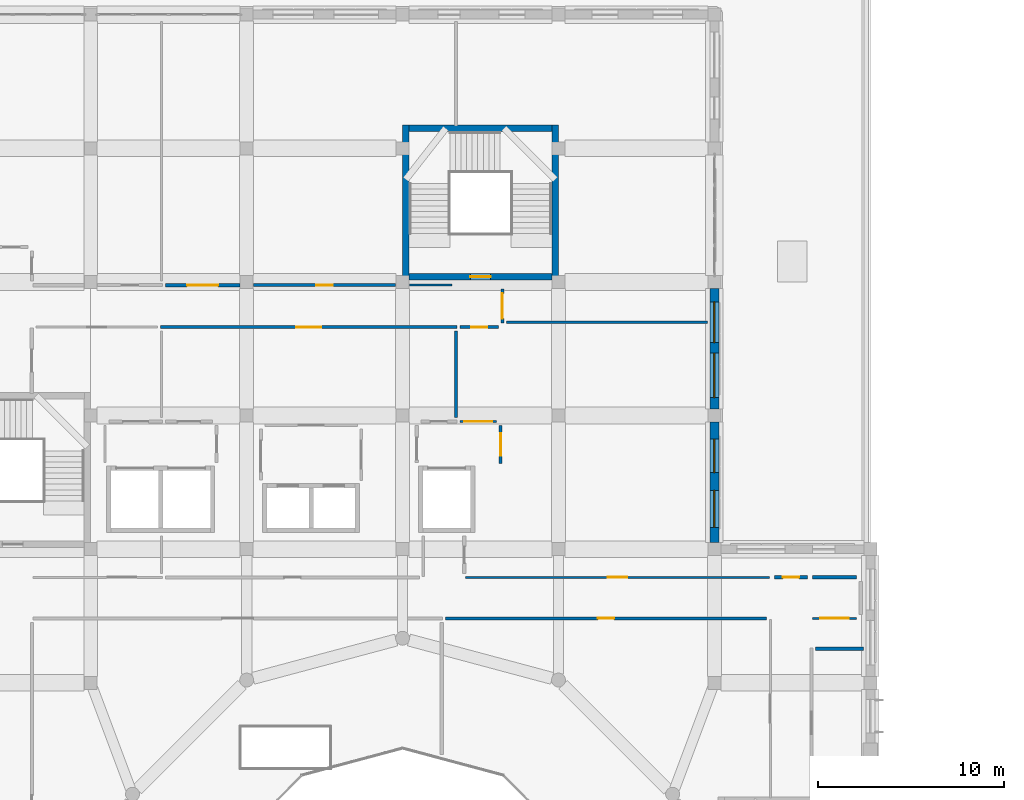
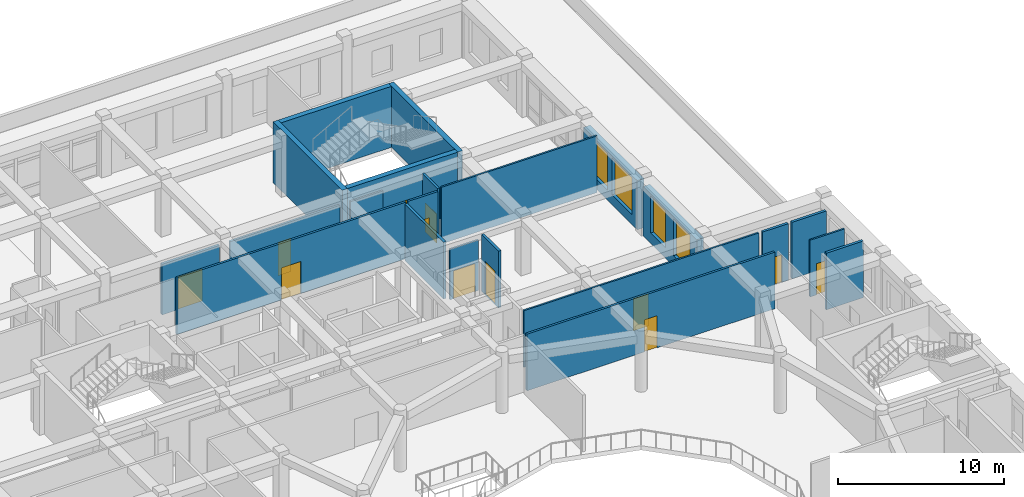
# One storey, part 64 of 100: 22 walls, 12 doors, 4 windows, 16 openings.
"""IFC4 building model written with IfcOpenShell, lengths in metres."""

from ifc_helpers import new_model, si_unit, derived_unit, direction, frame, frame_2d, origin, place, context, subcontext, project, spatial, rectangle, extrude, material, layer, layer_set, type_object, element, fill, save


model = new_model("IFC4")

# Units and contexts
model_context = context("Model", 3, precision=1e-05, world=origin(), true_north=direction((0.0, 1.0)))
body_context = subcontext(model_context, "Body", "Model", "MODEL_VIEW")
ifc_project = project(units=[si_unit("LENGTHUNIT", "METRE"), si_unit("AREAUNIT", "SQUARE_METRE"), si_unit("VOLUMEUNIT", "CUBIC_METRE"), si_unit("PLANEANGLEUNIT", "RADIAN"), si_unit("MASSUNIT", "GRAM", prefix="KILO"), derived_unit("THERMALTRANSMITTANCEUNIT", [(si_unit("POWERUNIT", "WATT"), 1), (si_unit("LENGTHUNIT", "METRE"), -2), (si_unit("THERMODYNAMICTEMPERATUREUNIT", "KELVIN"), -1)])], contexts=[model_context])

# Site, building, storey
site_placement = place(None, origin())
site = spatial("IfcSite", under=ifc_project, at=site_placement, CompositionType="ELEMENT")
building_placement = place(site_placement, origin())
building = spatial("IfcBuilding", under=site, at=building_placement, Name="Veybourne Emporium", CompositionType="ELEMENT")
storey_placement = place(building_placement, frame((0.0, 0.0, 14.39990234375)))
storey = spatial("IfcBuildingStorey", under=building, at=storey_placement, Name="L03", CompositionType="ELEMENT", Elevation=14.39990234375)

# Wall, openings, windows
ifc_material_1 = material(Name="Portland Limestone Ashlar", Category="masonry")
ifc_layer_1 = layer(ifc_material_1, 0.47998046875)
ifc_layer_set_1 = layer_set([ifc_layer_1], Name="Portland Limestone Ashlar")
wall_type_1 = type_object("IfcWallType", Name="ExtWall_EW-01", PredefinedType="SOLIDWALL", material=ifc_layer_set_1)
wall_1_placement = place(storey_placement, frame((92.39990234375, 78.85009765625, 0.0), z_axis=(0.0, 0.0, 1.0), x_axis=(0.0, -1.0, 0.0)))
wall_1 = element("IfcWall", 1, at=wall_1_placement, inside=storey, type_object=wall_type_1, Name="L03 Portland stone external wall 043", PredefinedType="SOLIDWALL", context=body_context, shape_type="SweptSolid", body=[
    extrude(rectangle(XDim=6.5, YDim=0.47998046875, at=frame_2d((3.25, 0.0))), origin(), (0.0, 0.0, 1.0), 3.630126953125),
])
opening_1_placement = place(wall_1_placement, frame((0.919921875, 0.0, 0.75)))
opening_1 = element("IfcOpeningElement", 2, at=opening_1_placement, cuts=wall_1, Name="Opening W-52", PredefinedType="OPENING", context=body_context, shape_type="SweptSolid", body=[
    extrude(rectangle(XDim=1.800048828125, YDim=2.72998046875, at=frame_2d((0.89990234375, 1.364990234375))), frame((0.0, 0.260009765625, 0.0), z_axis=(0.0, -1.0, 0.0), x_axis=(1.0, 0.0, 0.0)), (0.0, 0.0, 1.0), 0.52001953125),
])
opening_2_placement = place(wall_1_placement, frame((3.679931640625, 0.0, 0.75)))
opening_2 = element("IfcOpeningElement", 3, at=opening_2_placement, cuts=wall_1, Name="Opening W-53", PredefinedType="OPENING", context=body_context, shape_type="SweptSolid", body=[
    extrude(rectangle(XDim=2.0, YDim=2.72998046875, at=frame_2d((1.0, 1.364990234375))), frame((0.0, 0.260009765625, 0.0), z_axis=(0.0, -1.0, 0.0), x_axis=(1.0, 0.0, 0.0)), (0.0, 0.0, 1.0), 0.52001953125),
])
ifc_material_2 = material(Name="Low-E Triple Glazing", Category="glass")
window_type_1 = type_object("IfcWindowType", Name="Win_W-52", PartitioningType="DOUBLE_PANEL_VERTICAL", PredefinedType="WINDOW", material=ifc_material_2)
window_1_placement = place(opening_1_placement, origin())
window_1 = element("IfcWindow", 4, at=window_1_placement, inside=storey, type_object=window_type_1, Name="L03 tripartite bronze casement window W-52 (43.1)", OverallHeight=2.72998046875, OverallWidth=1.800048828125, PartitioningType="DOUBLE_PANEL_VERTICAL", PredefinedType="WINDOW", context=body_context, shape_type="SweptSolid", body=[
    extrude(rectangle(XDim=1.800048828125, YDim=2.72998046875, at=frame_2d((0.89990234375, 1.364990234375))), frame((0.0, 0.030029296875, 0.0), z_axis=(0.0, -1.0, 0.0), x_axis=(1.0, 0.0, 0.0)), (0.0, 0.0, 1.0), 0.06005859375),
])
fill(opening_1, window_1)
window_type_2 = type_object("IfcWindowType", Name="Win_W-53", PartitioningType="TRIPLE_PANEL_VERTICAL", PredefinedType="WINDOW", material=ifc_material_2)
window_2_placement = place(opening_2_placement, origin())
window_2 = element("IfcWindow", 5, at=window_2_placement, inside=storey, type_object=window_type_2, Name="L03 tripartite bronze casement window W-53 (43.2)", OverallHeight=2.72998046875, OverallWidth=2.0, PartitioningType="TRIPLE_PANEL_VERTICAL", PredefinedType="WINDOW", context=body_context, shape_type="SweptSolid", body=[
    extrude(rectangle(XDim=2.0, YDim=2.72998046875, at=frame_2d((1.0, 1.364990234375))), frame((0.0, 0.030029296875, 0.0), z_axis=(0.0, -1.0, 0.0), x_axis=(1.0, 0.0, 0.0)), (0.0, 0.0, 1.0), 0.06005859375),
])
fill(opening_2, window_2)

wall_2_placement = place(storey_placement, frame((92.39990234375, 86.050048828125, 0.0), z_axis=(0.0, 0.0, 1.0), x_axis=(0.0, -1.0, 0.0)))
wall_2 = element("IfcWall", 6, at=wall_2_placement, inside=storey, type_object=wall_type_1, Name="L03 Portland stone external wall 044", PredefinedType="SOLIDWALL", context=body_context, shape_type="SweptSolid", body=[
    extrude(rectangle(XDim=6.5, YDim=0.47998046875, at=frame_2d((3.25, 0.0))), origin(), (0.0, 0.0, 1.0), 3.630126953125),
])
opening_3_placement = place(wall_2_placement, frame((0.719970703125, 0.0, 0.75)))
opening_3 = element("IfcOpeningElement", 7, at=opening_3_placement, cuts=wall_2, Name="Opening W-54", PredefinedType="OPENING", context=body_context, shape_type="SweptSolid", body=[
    extrude(rectangle(XDim=2.199951171875, YDim=2.72998046875, at=frame_2d((1.10009765625, 1.364990234375))), frame((0.0, 0.260009765625, 0.0), z_axis=(0.0, -1.0, 0.0), x_axis=(1.0, 0.0, 0.0)), (0.0, 0.0, 1.0), 0.52001953125),
])
opening_4_placement = place(wall_2_placement, frame((3.47998046875, 0.0, 0.75)))
opening_4 = element("IfcOpeningElement", 8, at=opening_4_placement, cuts=wall_2, Name="Opening W-55", PredefinedType="OPENING", context=body_context, shape_type="SweptSolid", body=[
    extrude(rectangle(XDim=2.39990234375, YDim=2.72998046875, at=frame_2d((1.199951171875, 1.364990234375))), frame((0.0, 0.260009765625, 0.0), z_axis=(0.0, -1.0, 0.0), x_axis=(1.0, 0.0, 0.0)), (0.0, 0.0, 1.0), 0.52001953125),
])
window_type_3 = type_object("IfcWindowType", Name="Win_W-54", PartitioningType="TRIPLE_PANEL_VERTICAL", PredefinedType="WINDOW", material=ifc_material_2)
window_3_placement = place(opening_3_placement, origin())
window_3 = element("IfcWindow", 9, at=window_3_placement, inside=storey, type_object=window_type_3, Name="L03 tripartite bronze casement window W-54 (44.1)", OverallHeight=2.72998046875, OverallWidth=2.199951171875, PartitioningType="TRIPLE_PANEL_VERTICAL", PredefinedType="WINDOW", context=body_context, shape_type="SweptSolid", body=[
    extrude(rectangle(XDim=2.199951171875, YDim=2.72998046875, at=frame_2d((1.10009765625, 1.364990234375))), frame((0.0, 0.030029296875, 0.0), z_axis=(0.0, -1.0, 0.0), x_axis=(1.0, 0.0, 0.0)), (0.0, 0.0, 1.0), 0.06005859375),
])
fill(opening_3, window_3)
window_type_4 = type_object("IfcWindowType", Name="Win_W-55", PartitioningType="TRIPLE_PANEL_VERTICAL", PredefinedType="WINDOW", material=ifc_material_2)
window_4_placement = place(opening_4_placement, origin())
window_4 = element("IfcWindow", 10, at=window_4_placement, inside=storey, type_object=window_type_4, Name="L03 tripartite bronze casement window W-55 (44.2)", OverallHeight=2.72998046875, OverallWidth=2.39990234375, PartitioningType="TRIPLE_PANEL_VERTICAL", PredefinedType="WINDOW", context=body_context, shape_type="SweptSolid", body=[
    extrude(rectangle(XDim=2.39990234375, YDim=2.72998046875, at=frame_2d((1.199951171875, 1.364990234375))), frame((0.0, 0.030029296875, 0.0), z_axis=(0.0, -1.0, 0.0), x_axis=(1.0, 0.0, 0.0)), (0.0, 0.0, 1.0), 0.06005859375),
])
fill(opening_4, window_4)

# Wall, opening, door
ifc_material_3 = material(Name="Concrete C40/50", Category="concrete")
ifc_layer_2 = layer(ifc_material_3, 0.35009765625)
ifc_layer_set_2 = layer_set([ifc_layer_2], Name="Concrete C40/50")
wall_type_2 = type_object("IfcWallType", Name="IntWall_CW-02", PredefinedType="SHEAR", material=ifc_layer_set_2)
wall_3_placement = place(storey_placement, frame((83.64990234375, 86.675048828125, 0.0), z_axis=(0.0, 0.0, 1.0), x_axis=(-1.0, 0.0, 0.0)))
wall_3 = element("IfcWall", 11, at=wall_3_placement, inside=storey, type_object=wall_type_2, Name="Core stair ST-04 south shear wall (L03)", PredefinedType="SHEAR", context=body_context, shape_type="SweptSolid", body=[
    extrude(rectangle(XDim=7.699951171875, YDim=0.35009765625, at=frame_2d((3.85009765625, 0.0))), origin(), (0.0, 0.0, 1.0), 4.5),
])
opening_5_placement = place(wall_3_placement, frame((3.300048828125, 0.0, 0.0)))
opening_5 = element("IfcOpeningElement", 12, at=opening_5_placement, cuts=wall_3, Name="Opening FD-01", PredefinedType="OPENING", context=body_context, shape_type="SweptSolid", body=[
    extrude(rectangle(XDim=1.10009765625, YDim=2.199951171875, at=frame_2d((0.550048828125, 1.10009765625))), frame((0.0, 0.195068359375, 0.0), z_axis=(0.0, -1.0, 0.0), x_axis=(1.0, 0.0, 0.0)), (0.0, 0.0, 1.0), 0.39013671875),
])
ifc_material_4 = material(Name="Patinated Architectural Bronze", Category="bronze")
door_type_1 = type_object("IfcDoorType", Name="FireDoor_FD-01", OperationType="NOTDEFINED", PredefinedType="DOOR", material=ifc_material_4)
door_1_placement = place(opening_5_placement, origin())
door_1 = element("IfcDoor", 13, at=door_1_placement, inside=storey, type_object=door_type_1, Name="Stair ST-04 fire door (L03)", OperationType="SINGLE_SWING_LEFT", OverallHeight=2.199951171875, OverallWidth=1.10009765625, PredefinedType="DOOR", context=body_context, shape_type="SweptSolid", body=[
    extrude(rectangle(XDim=1.10009765625, YDim=2.199951171875, at=frame_2d((0.550048828125, 1.10009765625))), frame((0.0, 0.02490234375, 0.0), z_axis=(0.0, -1.0, 0.0), x_axis=(1.0, 0.0, 0.0)), (0.0, 0.0, 1.0), 0.050048828125),
])
fill(opening_5, door_1)

# Walls
wall_4_placement = place(storey_placement, frame((75.949951171875, 94.675048828125, 0.0), z_axis=(0.0, 0.0, 1.0), x_axis=(1.0, 0.0, 0.0)))
element("IfcWall", 14, at=wall_4_placement, inside=storey, type_object=wall_type_2, Name="Core stair ST-04 north shear wall (L03)", PredefinedType="SHEAR", context=body_context, shape_type="SweptSolid", body=[
    extrude(rectangle(XDim=7.699951171875, YDim=0.35009765625, at=frame_2d((3.85009765625, 0.0))), origin(), (0.0, 0.0, 1.0), 4.5),
])
for number, where, z_axis, x_axis, name in (
    (15, (75.77490234375, 94.85009765625, 0.0), (0.0, 0.0, 1.0), (0.0, -1.0, 0.0), "Core stair ST-04 west shear wall (L03)"),
    (16, (83.824951171875, 86.5, 0.0), (0.0, 0.0, 1.0), (0.0, 1.0, 0.0), "Core stair ST-04 east shear wall (L03)"),
):
    element("IfcWall", number, at=place(storey_placement, frame(where, z_axis=z_axis, x_axis=x_axis)), inside=storey, type_object=wall_type_2, Name=name, PredefinedType="SHEAR", context=body_context, shape_type="SweptSolid", body=[
        extrude(rectangle(XDim=8.35009765625, YDim=0.35009765625, at=frame_2d((4.175048828125, 0.0))), origin(), (0.0, 0.0, 1.0), 4.5),
    ])

# Wall, opening, door
ifc_material_5 = material(Name="Gypsum Acoustic Board", Category="gypsum")
ifc_layer_3 = layer(ifc_material_5, 0.179931640625)
ifc_layer_set_3 = layer_set([ifc_layer_3], Name="Gypsum Acoustic Board")
wall_type_3 = type_object("IfcWallType", Name="IntWall_IW-01", PredefinedType="PARTITIONING", material=ifc_layer_set_3)
wall_5_placement = place(storey_placement, frame((62.822021484375, 86.22998046875, 0.0), z_axis=(0.0, 0.0, 1.0), x_axis=(1.0, 0.0, 0.0)))
wall_5 = element("IfcWall", 17, at=wall_5_placement, inside=storey, type_object=wall_type_3, Name="L03 interior partition IW-01 #020", PredefinedType="PARTITIONING", context=body_context, shape_type="SweptSolid", body=[
    extrude(rectangle(XDim=4.008056640625, YDim=0.179931640625, at=frame_2d((2.00390625, 0.0))), origin(), (0.0, 0.0, 1.0), 3.72998046875),
])
opening_6_placement = place(wall_5_placement, frame((1.1640625, 0.0, 0.0)))
opening_6 = element("IfcOpeningElement", 18, at=opening_6_placement, cuts=wall_5, Name="Opening D-30", PredefinedType="OPENING", context=body_context, shape_type="SweptSolid", body=[
    extrude(rectangle(XDim=1.679931640625, YDim=2.3701171875, at=frame_2d((0.83984375, 1.18505859375))), frame((0.0, 0.10986328125, 0.0), z_axis=(0.0, -1.0, 0.0), x_axis=(1.0, 0.0, 0.0)), (0.0, 0.0, 1.0), 0.219970703125),
])
ifc_material_6 = material(Name="European Oak Veneer and Bronze", Category="wood")
door_type_2 = type_object("IfcDoorType", Name="IntDoor_D-30", OperationType="DOUBLE_DOOR_SINGLE_SWING", PredefinedType="DOOR", material=ifc_material_6)
door_2_placement = place(opening_6_placement, origin())
door_2 = element("IfcDoor", 19, at=door_2_placement, inside=storey, type_object=door_type_2, Name="L03 interior door D-30 (PART-L03-020)", OperationType="DOUBLE_DOOR_SINGLE_SWING", OverallHeight=2.3701171875, OverallWidth=1.679931640625, PredefinedType="DOOR", context=body_context, shape_type="SweptSolid", body=[
    extrude(rectangle(XDim=1.679931640625, YDim=2.3701171875, at=frame_2d((0.83984375, 1.18505859375))), frame((0.0, 0.02490234375, 0.0), z_axis=(0.0, -1.0, 0.0), x_axis=(1.0, 0.0, 0.0)), (0.0, 0.0, 1.0), 0.050048828125),
])
fill(opening_6, door_2)

# Wall
wall_6_placement = place(storey_placement, frame((97.679931640625, 70.47998046875, 0.0), z_axis=(0.0, 0.0, 1.0), x_axis=(1.0, 0.0, 0.0)))
element("IfcWall", 20, at=wall_6_placement, inside=storey, type_object=wall_type_3, Name="L03 interior partition IW-01 #086", PredefinedType="PARTITIONING", context=body_context, shape_type="SweptSolid", body=[
    extrude(rectangle(XDim=2.39013671875, YDim=0.179931640625, at=frame_2d((1.195068359375, 0.0))), origin(), (0.0, 0.0, 1.0), 4.18017578125),
])

# Wall, opening, door
wall_7_placement = place(storey_placement, frame((80.8798828125, 76.6201171875, 0.0), z_axis=(0.0, 0.0, 1.0), x_axis=(0.0, 1.0, 0.0)))
wall_7 = element("IfcWall", 21, at=wall_7_placement, inside=storey, type_object=wall_type_3, Name="L03 interior partition IW-01 #095", PredefinedType="PARTITIONING", context=body_context, shape_type="SweptSolid", body=[
    extrude(rectangle(XDim=2.0498046875, YDim=0.179931640625, at=frame_2d((1.02490234375, 0.0))), origin(), (0.0, 0.0, 1.0), 4.18017578125),
])
opening_7_placement = place(wall_7_placement, frame((0.425048828125, 0.0, 0.0)))
opening_7 = element("IfcOpeningElement", 22, at=opening_7_placement, cuts=wall_7, Name="Opening D-33", PredefinedType="OPENING", context=body_context, shape_type="SweptSolid", body=[
    extrude(rectangle(XDim=1.199951171875, YDim=2.449951171875, at=frame_2d((0.60009765625, 1.22509765625))), frame((0.0, 0.10986328125, 0.0), z_axis=(0.0, -1.0, 0.0), x_axis=(1.0, 0.0, 0.0)), (0.0, 0.0, 1.0), 0.219970703125),
])
door_type_3 = type_object("IfcDoorType", Name="IntDoor_D-33", OperationType="NOTDEFINED", PredefinedType="DOOR", material=ifc_material_6)
door_3_placement = place(opening_7_placement, origin())
door_3 = element("IfcDoor", 23, at=door_3_placement, inside=storey, type_object=door_type_3, Name="L03 interior door D-33 (PART-L03-095)", OperationType="SINGLE_SWING_LEFT", OverallHeight=2.449951171875, OverallWidth=1.199951171875, PredefinedType="DOOR", context=body_context, shape_type="SweptSolid", body=[
    extrude(rectangle(XDim=1.199951171875, YDim=2.449951171875, at=frame_2d((0.60009765625, 1.22509765625))), frame((0.0, 0.02490234375, 0.0), z_axis=(0.0, -1.0, 0.0), x_axis=(1.0, 0.0, 0.0)), (0.0, 0.0, 1.0), 0.050048828125),
])
fill(opening_7, door_3)

wall_8_placement = place(storey_placement, frame((95.6298828125, 70.47998046875, 0.0), z_axis=(0.0, 0.0, 1.0), x_axis=(1.0, 0.0, 0.0)))
wall_8 = element("IfcWall", 24, at=wall_8_placement, inside=storey, type_object=wall_type_3, Name="L03 interior partition IW-01 #116", PredefinedType="PARTITIONING", context=body_context, shape_type="SweptSolid", body=[
    extrude(rectangle(XDim=1.7900390625, YDim=0.179931640625, at=frame_2d((0.89501953125, 0.0))), origin(), (0.0, 0.0, 1.0), 4.18017578125),
])
opening_8_placement = place(wall_8_placement, frame((0.455078125, 0.0, 0.0)))
opening_8 = element("IfcOpeningElement", 25, at=opening_8_placement, cuts=wall_8, Name="Opening D-01", PredefinedType="OPENING", context=body_context, shape_type="SweptSolid", body=[
    extrude(rectangle(XDim=0.8798828125, YDim=2.050048828125, at=frame_2d((0.43994140625, 1.02490234375))), frame((0.0, 0.10986328125, 0.0), z_axis=(0.0, -1.0, 0.0), x_axis=(1.0, 0.0, 0.0)), (0.0, 0.0, 1.0), 0.219970703125),
])
door_type_4 = type_object("IfcDoorType", Name="IntDoor_D-01", OperationType="NOTDEFINED", PredefinedType="DOOR", material=ifc_material_6)
door_4_placement = place(opening_8_placement, origin())
door_4 = element("IfcDoor", 26, at=door_4_placement, inside=storey, type_object=door_type_4, Name="L03 interior door D-01 (PART-L03-116)", OperationType="SINGLE_SWING_LEFT", OverallHeight=2.050048828125, OverallWidth=0.8798828125, PredefinedType="DOOR", context=body_context, shape_type="SweptSolid", body=[
    extrude(rectangle(XDim=0.8798828125, YDim=2.050048828125, at=frame_2d((0.43994140625, 1.02490234375))), frame((0.0, 0.02490234375, 0.0), z_axis=(0.0, -1.0, 0.0), x_axis=(1.0, 0.0, 0.0)), (0.0, 0.0, 1.0), 0.050048828125),
])
fill(opening_8, door_4)

# Walls
wall_9_placement = place(storey_placement, frame((78.47607421875, 79.090087890625, 0.0), z_axis=(0.0, 0.0, 1.0), x_axis=(0.0, 1.0, 0.0)))
element("IfcWall", 27, at=wall_9_placement, inside=storey, type_object=wall_type_3, Name="L03 interior partition IW-01 #140", PredefinedType="PARTITIONING", context=body_context, shape_type="SweptSolid", body=[
    extrude(rectangle(XDim=4.669921875, YDim=0.179931640625, at=frame_2d((2.3349609375, 0.0))), origin(), (0.0, 0.0, 1.0), 4.18017578125),
])
wall_10_placement = place(storey_placement, frame((97.840087890625, 66.6298828125, 0.0), z_axis=(0.0, 0.0, 1.0), x_axis=(1.0, 0.0, 0.0)))
element("IfcWall", 28, at=wall_10_placement, inside=storey, type_object=wall_type_3, Name="L03 interior partition IW-01 #143", PredefinedType="PARTITIONING", context=body_context, shape_type="SweptSolid", body=[
    extrude(rectangle(XDim=2.58984375, YDim=0.179931640625, at=frame_2d((1.294921875, 0.0))), origin(), (0.0, 0.0, 1.0), 4.18017578125),
])

# Wall, opening, door
ifc_layer_4 = layer(ifc_material_5, 0.14990234375)
ifc_layer_set_4 = layer_set([ifc_layer_4], Name="Gypsum Acoustic Board")
wall_type_4 = type_object("IfcWallType", Name="IntWall_IW-02", PredefinedType="PARTITIONING", material=ifc_layer_set_4)
wall_11_placement = place(storey_placement, frame((77.9150390625, 68.27001953125, 0.0), z_axis=(0.0, 0.0, 1.0), x_axis=(1.0, 0.0, 0.0)))
wall_11 = element("IfcWall", 29, at=wall_11_placement, inside=storey, type_object=wall_type_4, Name="L03 interior partition IW-02 #015", PredefinedType="PARTITIONING", context=body_context, shape_type="SweptSolid", body=[
    extrude(rectangle(XDim=17.294921875, YDim=0.14990234375, at=frame_2d((8.6474609375, 0.0))), origin(), (0.0, 0.0, 1.0), 4.18017578125),
])
opening_9_placement = place(wall_11_placement, frame((8.20751953125, 0.0, 0.0)))
opening_9 = element("IfcOpeningElement", 30, at=opening_9_placement, cuts=wall_11, Name="Opening D-25", PredefinedType="OPENING", context=body_context, shape_type="SweptSolid", body=[
    extrude(rectangle(XDim=0.8798828125, YDim=2.3701171875, at=frame_2d((0.43994140625, 1.18505859375))), frame((0.0, 0.094970703125, 0.0), z_axis=(0.0, -1.0, 0.0), x_axis=(1.0, 0.0, 0.0)), (0.0, 0.0, 1.0), 0.18994140625),
])
door_type_5 = type_object("IfcDoorType", Name="IntDoor_D-25", OperationType="NOTDEFINED", PredefinedType="DOOR", material=ifc_material_6)
door_5_placement = place(opening_9_placement, origin())
door_5 = element("IfcDoor", 31, at=door_5_placement, inside=storey, type_object=door_type_5, Name="L03 interior door D-25 (PART-L03-015)", OperationType="SINGLE_SWING_LEFT", OverallHeight=2.3701171875, OverallWidth=0.8798828125, PredefinedType="DOOR", context=body_context, shape_type="SweptSolid", body=[
    extrude(rectangle(XDim=0.8798828125, YDim=2.3701171875, at=frame_2d((0.43994140625, 1.18505859375))), frame((0.0, 0.02490234375, 0.0), z_axis=(0.0, -1.0, 0.0), x_axis=(1.0, 0.0, 0.0)), (0.0, 0.0, 1.0), 0.050048828125),
])
fill(opening_9, door_5)

wall_12_placement = place(storey_placement, frame((62.56201171875, 83.969970703125, 0.0), z_axis=(0.0, 0.0, 1.0), x_axis=(1.0, 0.0, 0.0)))
wall_12 = element("IfcWall", 32, at=wall_12_placement, inside=storey, type_object=wall_type_4, Name="L03 interior partition IW-02 #018", PredefinedType="PARTITIONING", context=body_context, shape_type="SweptSolid", body=[
    extrude(rectangle(XDim=15.9638671875, YDim=0.14990234375, at=frame_2d((7.98193359375, 0.0))), origin(), (0.0, 0.0, 1.0), 4.18017578125),
])
opening_10_placement = place(wall_12_placement, frame((7.302001953125, 0.0, 0.0)))
opening_10 = element("IfcOpeningElement", 33, at=opening_10_placement, cuts=wall_12, Name="Opening D-28", PredefinedType="OPENING", context=body_context, shape_type="SweptSolid", body=[
    extrude(rectangle(XDim=1.360107421875, YDim=2.3701171875, at=frame_2d((0.68017578125, 1.18505859375))), frame((0.0, 0.094970703125, 0.0), z_axis=(0.0, -1.0, 0.0), x_axis=(1.0, 0.0, 0.0)), (0.0, 0.0, 1.0), 0.18994140625),
])
door_type_6 = type_object("IfcDoorType", Name="IntDoor_D-28", OperationType="NOTDEFINED", PredefinedType="DOOR", material=ifc_material_6)
door_6_placement = place(opening_10_placement, origin())
door_6 = element("IfcDoor", 34, at=door_6_placement, inside=storey, type_object=door_type_6, Name="L03 interior door D-28 (PART-L03-018)", OperationType="SINGLE_SWING_RIGHT", OverallHeight=2.3701171875, OverallWidth=1.360107421875, PredefinedType="DOOR", context=body_context, shape_type="SweptSolid", body=[
    extrude(rectangle(XDim=1.360107421875, YDim=2.3701171875, at=frame_2d((0.68017578125, 1.18505859375))), frame((0.0, 0.02490234375, 0.0), z_axis=(0.0, -1.0, 0.0), x_axis=(1.0, 0.0, 0.0)), (0.0, 0.0, 1.0), 0.050048828125),
])
fill(opening_10, door_6)

wall_13_placement = place(storey_placement, frame((67.570068359375, 86.22998046875, 0.0), z_axis=(0.0, 0.0, 1.0), x_axis=(1.0, 0.0, 0.0)))
wall_13 = element("IfcWall", 35, at=wall_13_placement, inside=storey, type_object=wall_type_4, Name="L03 interior partition IW-02 #021", PredefinedType="PARTITIONING", context=body_context, shape_type="SweptSolid", body=[
    extrude(rectangle(XDim=7.659912109375, YDim=0.14990234375, at=frame_2d((3.830078125, 0.0))), origin(), (0.0, 0.0, 1.0), 3.72998046875),
])
opening_11_placement = place(wall_13_placement, frame((3.389892578125, 0.0, 0.0)))
opening_11 = element("IfcOpeningElement", 36, at=opening_11_placement, cuts=wall_13, Name="Opening D-31", PredefinedType="OPENING", context=body_context, shape_type="SweptSolid", body=[
    extrude(rectangle(XDim=0.8798828125, YDim=2.449951171875, at=frame_2d((0.43994140625, 1.22509765625))), frame((0.0, 0.094970703125, 0.0), z_axis=(0.0, -1.0, 0.0), x_axis=(1.0, 0.0, 0.0)), (0.0, 0.0, 1.0), 0.18994140625),
])
door_type_7 = type_object("IfcDoorType", Name="IntDoor_D-31", OperationType="NOTDEFINED", PredefinedType="DOOR", material=ifc_material_6)
door_7_placement = place(opening_11_placement, origin())
door_7 = element("IfcDoor", 37, at=door_7_placement, inside=storey, type_object=door_type_7, Name="L03 interior door D-31 (PART-L03-021)", OperationType="SINGLE_SWING_LEFT", OverallHeight=2.449951171875, OverallWidth=0.8798828125, PredefinedType="DOOR", context=body_context, shape_type="SweptSolid", body=[
    extrude(rectangle(XDim=0.8798828125, YDim=2.449951171875, at=frame_2d((0.43994140625, 1.22509765625))), frame((0.0, 0.02490234375, 0.0), z_axis=(0.0, -1.0, 0.0), x_axis=(1.0, 0.0, 0.0)), (0.0, 0.0, 1.0), 0.050048828125),
])
fill(opening_11, door_7)

wall_14_placement = place(storey_placement, frame((78.68603515625, 83.969970703125, 0.0), z_axis=(0.0, 0.0, 1.0), x_axis=(1.0, 0.0, 0.0)))
wall_14 = element("IfcWall", 38, at=wall_14_placement, inside=storey, type_object=wall_type_4, Name="L03 interior partition IW-02 #093", PredefinedType="PARTITIONING", context=body_context, shape_type="SweptSolid", body=[
    extrude(rectangle(XDim=2.083984375, YDim=0.14990234375, at=frame_2d((1.0419921875, 0.0))), origin(), (0.0, 0.0, 1.0), 4.18017578125),
])
opening_12_placement = place(wall_14_placement, frame((0.60205078125, 0.0, 0.0)))
opening_12 = element("IfcOpeningElement", 39, at=opening_12_placement, cuts=wall_14, Name="Opening D-31", PredefinedType="OPENING", context=body_context, shape_type="SweptSolid", body=[
    extrude(rectangle(XDim=0.8798828125, YDim=2.449951171875, at=frame_2d((0.43994140625, 1.22509765625))), frame((0.0, 0.094970703125, 0.0), z_axis=(0.0, -1.0, 0.0), x_axis=(1.0, 0.0, 0.0)), (0.0, 0.0, 1.0), 0.18994140625),
])
door_8_placement = place(opening_12_placement, origin())
door_8 = element("IfcDoor", 40, at=door_8_placement, inside=storey, type_object=door_type_7, Name="L03 interior door D-31 (PART-L03-093)", OperationType="SINGLE_SWING_RIGHT", OverallHeight=2.449951171875, OverallWidth=0.8798828125, PredefinedType="DOOR", context=body_context, shape_type="SweptSolid", body=[
    extrude(rectangle(XDim=0.8798828125, YDim=2.449951171875, at=frame_2d((0.43994140625, 1.22509765625))), frame((0.0, 0.02490234375, 0.0), z_axis=(0.0, -1.0, 0.0), x_axis=(1.0, 0.0, 0.0)), (0.0, 0.0, 1.0), 0.050048828125),
])
fill(opening_12, door_8)

wall_15_placement = place(storey_placement, frame((80.97998046875, 84.179931640625, 0.0), z_axis=(0.0, 0.0, 1.0), x_axis=(0.0, 1.0, 0.0)))
wall_15 = element("IfcWall", 41, at=wall_15_placement, inside=storey, type_object=wall_type_4, Name="L03 interior partition IW-02 #108", PredefinedType="PARTITIONING", context=body_context, shape_type="SweptSolid", body=[
    extrude(rectangle(XDim=1.840087890625, YDim=0.14990234375, at=frame_2d((0.919921875, 0.0))), origin(), (0.0, 0.0, 1.0), 4.18017578125),
])
opening_13_placement = place(wall_15_placement, frame((0.239990234375, 0.0, 0.0)))
opening_13 = element("IfcOpeningElement", 42, at=opening_13_placement, cuts=wall_15, Name="Opening D-10", PredefinedType="OPENING", context=body_context, shape_type="SweptSolid", body=[
    extrude(rectangle(XDim=1.360107421875, YDim=2.1298828125, at=frame_2d((0.68017578125, 1.06494140625))), frame((0.0, 0.094970703125, 0.0), z_axis=(0.0, -1.0, 0.0), x_axis=(1.0, 0.0, 0.0)), (0.0, 0.0, 1.0), 0.18994140625),
])
door_type_8 = type_object("IfcDoorType", Name="IntDoor_D-10", OperationType="NOTDEFINED", PredefinedType="DOOR", material=ifc_material_6)
door_9_placement = place(opening_13_placement, origin())
door_9 = element("IfcDoor", 43, at=door_9_placement, inside=storey, type_object=door_type_8, Name="L03 interior door D-10 (PART-L03-108)", OperationType="SINGLE_SWING_LEFT", OverallHeight=2.1298828125, OverallWidth=1.360107421875, PredefinedType="DOOR", context=body_context, shape_type="SweptSolid", body=[
    extrude(rectangle(XDim=1.360107421875, YDim=2.1298828125, at=frame_2d((0.68017578125, 1.06494140625))), frame((0.0, 0.02490234375, 0.0), z_axis=(0.0, -1.0, 0.0), x_axis=(1.0, 0.0, 0.0)), (0.0, 0.0, 1.0), 0.050048828125),
])
fill(opening_13, door_9)

ifc_layer_5 = layer(ifc_material_5, 0.1201171875)
ifc_layer_set_5 = layer_set([ifc_layer_5], Name="Gypsum Acoustic Board")
wall_type_5 = type_object("IfcWallType", Name="IntWall_IW-03", PredefinedType="PARTITIONING", material=ifc_layer_set_5)
wall_16_placement = place(storey_placement, frame((78.97998046875, 70.47998046875, 0.0), z_axis=(0.0, 0.0, 1.0), x_axis=(1.0, 0.0, 0.0)))
wall_16 = element("IfcWall", 44, at=wall_16_placement, inside=storey, type_object=wall_type_5, Name="L03 interior partition IW-03 #016", PredefinedType="PARTITIONING", context=body_context, shape_type="SweptSolid", body=[
    extrude(rectangle(XDim=16.39013671875, YDim=0.1201171875, at=frame_2d((8.195068359375, 0.0))), origin(), (0.0, 0.0, 1.0), 4.18017578125),
])
opening_14_placement = place(wall_16_placement, frame((7.675048828125, 0.0, 0.0)))
opening_14 = element("IfcOpeningElement", 45, at=opening_14_placement, cuts=wall_16, Name="Opening D-26", PredefinedType="OPENING", context=body_context, shape_type="SweptSolid", body=[
    extrude(rectangle(XDim=1.0400390625, YDim=2.3701171875, at=frame_2d((0.52001953125, 1.18505859375))), frame((0.0, 0.080078125, 0.0), z_axis=(0.0, -1.0, 0.0), x_axis=(1.0, 0.0, 0.0)), (0.0, 0.0, 1.0), 0.16015625),
])
door_type_9 = type_object("IfcDoorType", Name="IntDoor_D-26", OperationType="NOTDEFINED", PredefinedType="DOOR", material=ifc_material_6)
door_10_placement = place(opening_14_placement, origin())
door_10 = element("IfcDoor", 46, at=door_10_placement, inside=storey, type_object=door_type_9, Name="L03 interior door D-26 (PART-L03-016)", OperationType="SINGLE_SWING_RIGHT", OverallHeight=2.3701171875, OverallWidth=1.0400390625, PredefinedType="DOOR", context=body_context, shape_type="SweptSolid", body=[
    extrude(rectangle(XDim=1.0400390625, YDim=2.3701171875, at=frame_2d((0.52001953125, 1.18505859375))), frame((0.0, 0.02490234375, 0.0), z_axis=(0.0, -1.0, 0.0), x_axis=(1.0, 0.0, 0.0)), (0.0, 0.0, 1.0), 0.050048828125),
])
fill(opening_14, door_10)

# Wall
wall_17_placement = place(storey_placement, frame((75.969970703125, 86.22998046875, 0.0), z_axis=(0.0, 0.0, 1.0), x_axis=(1.0, 0.0, 0.0)))
element("IfcWall", 47, at=wall_17_placement, inside=storey, type_object=wall_type_5, Name="L03 interior partition IW-03 #022", PredefinedType="PARTITIONING", context=body_context, shape_type="SweptSolid", body=[
    extrude(rectangle(XDim=2.296142578125, YDim=0.1201171875, at=frame_2d((1.14794921875, 0.0))), origin(), (0.0, 0.0, 1.0), 3.72998046875),
])

# Wall, opening, door
wall_18_placement = place(storey_placement, frame((97.679931640625, 68.27001953125, 0.0), z_axis=(0.0, 0.0, 1.0), x_axis=(1.0, 0.0, 0.0)))
wall_18 = element("IfcWall", 48, at=wall_18_placement, inside=storey, type_object=wall_type_5, Name="L03 interior partition IW-03 #085", PredefinedType="PARTITIONING", context=body_context, shape_type="SweptSolid", body=[
    extrude(rectangle(XDim=2.39013671875, YDim=0.1201171875, at=frame_2d((1.195068359375, 0.0))), origin(), (0.0, 0.0, 1.0), 4.18017578125),
])
opening_15_placement = place(wall_18_placement, frame((0.43505859375, 0.0, 0.0)))
opening_15 = element("IfcOpeningElement", 49, at=opening_15_placement, cuts=wall_18, Name="Opening D-23", PredefinedType="OPENING", context=body_context, shape_type="SweptSolid", body=[
    extrude(rectangle(XDim=1.52001953125, YDim=2.2900390625, at=frame_2d((0.760009765625, 1.14501953125))), frame((0.0, 0.080078125, 0.0), z_axis=(0.0, -1.0, 0.0), x_axis=(1.0, 0.0, 0.0)), (0.0, 0.0, 1.0), 0.16015625),
])
door_type_10 = type_object("IfcDoorType", Name="IntDoor_D-23", OperationType="NOTDEFINED", PredefinedType="DOOR", material=ifc_material_6)
door_11_placement = place(opening_15_placement, origin())
door_11 = element("IfcDoor", 50, at=door_11_placement, inside=storey, type_object=door_type_10, Name="L03 interior door D-23 (PART-L03-085)", OperationType="SINGLE_SWING_LEFT", OverallHeight=2.2900390625, OverallWidth=1.52001953125, PredefinedType="DOOR", context=body_context, shape_type="SweptSolid", body=[
    extrude(rectangle(XDim=1.52001953125, YDim=2.2900390625, at=frame_2d((0.760009765625, 1.14501953125))), frame((0.0, 0.02490234375, 0.0), z_axis=(0.0, -1.0, 0.0), x_axis=(1.0, 0.0, 0.0)), (0.0, 0.0, 1.0), 0.050048828125),
])
fill(opening_15, door_11)

wall_19_placement = place(storey_placement, frame((78.68603515625, 78.8798828125, 0.0), z_axis=(0.0, 0.0, 1.0), x_axis=(1.0, 0.0, 0.0)))
wall_19 = element("IfcWall", 51, at=wall_19_placement, inside=storey, type_object=wall_type_5, Name="L03 interior partition IW-03 #103", PredefinedType="PARTITIONING", context=body_context, shape_type="SweptSolid", body=[
    extrude(rectangle(XDim=1.98388671875, YDim=0.1201171875, at=frame_2d((0.991943359375, 0.0))), origin(), (0.0, 0.0, 1.0), 3.72998046875),
])
opening_16_placement = place(wall_19_placement, frame((0.23193359375, 0.0, 0.0)))
opening_16 = element("IfcOpeningElement", 52, at=opening_16_placement, cuts=wall_19, Name="Opening D-05", PredefinedType="OPENING", context=body_context, shape_type="SweptSolid", body=[
    extrude(rectangle(XDim=1.52001953125, YDim=2.050048828125, at=frame_2d((0.760009765625, 1.02490234375))), frame((0.0, 0.080078125, 0.0), z_axis=(0.0, -1.0, 0.0), x_axis=(1.0, 0.0, 0.0)), (0.0, 0.0, 1.0), 0.16015625),
])
door_type_11 = type_object("IfcDoorType", Name="IntDoor_D-05", OperationType="NOTDEFINED", PredefinedType="DOOR", material=ifc_material_6)
door_12_placement = place(opening_16_placement, origin())
door_12 = element("IfcDoor", 53, at=door_12_placement, inside=storey, type_object=door_type_11, Name="L03 interior door D-05 (PART-L03-103)", OperationType="SINGLE_SWING_RIGHT", OverallHeight=2.050048828125, OverallWidth=1.52001953125, PredefinedType="DOOR", context=body_context, shape_type="SweptSolid", body=[
    extrude(rectangle(XDim=1.52001953125, YDim=2.050048828125, at=frame_2d((0.760009765625, 1.02490234375))), frame((0.0, 0.02490234375, 0.0), z_axis=(0.0, -1.0, 0.0), x_axis=(1.0, 0.0, 0.0)), (0.0, 0.0, 1.0), 0.050048828125),
])
fill(opening_16, door_12)

# Wall
wall_20_placement = place(storey_placement, frame((81.18994140625, 84.22998046875, 0.0), z_axis=(0.0, 0.0, 1.0), x_axis=(1.0, 0.0, 0.0)))
element("IfcWall", 54, at=wall_20_placement, inside=storey, type_object=wall_type_5, Name="L03 interior partition IW-03 #130", PredefinedType="PARTITIONING", context=body_context, shape_type="SweptSolid", body=[
    extrude(rectangle(XDim=10.840087890625, YDim=0.1201171875, at=frame_2d((5.419921875, 0.0))), origin(), (0.0, 0.0, 1.0), 4.18017578125),
])

save(model, "model.ifc")
